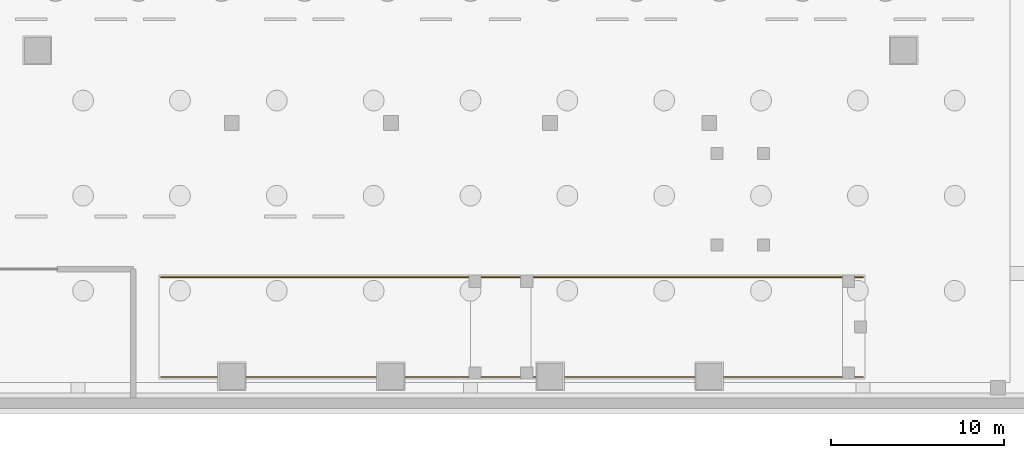
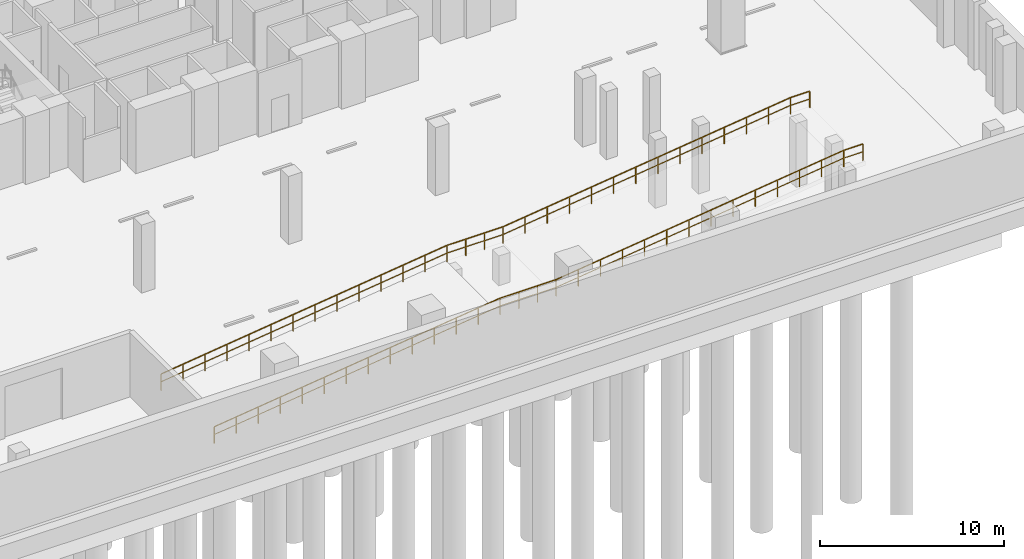
# One storey, part 9 of 13: 2 railings.
"""IFC4 building model written with IfcOpenShell, lengths in metres."""

from ifc_helpers import new_model, si_unit, direction, frame, origin, origin_2d, place, context, subcontext, project, spatial, rectangle, extrude, material, type_object, element, save


model = new_model("IFC4")

# Units and contexts
model_context = context("Model", 3, precision=1e-05, world=origin(), true_north=direction((0.0, 1.0)))
body_context = subcontext(model_context, "Body", "Model", "MODEL_VIEW")
ifc_project = project(units=[si_unit("LENGTHUNIT", "METRE"), si_unit("AREAUNIT", "SQUARE_METRE"), si_unit("VOLUMEUNIT", "CUBIC_METRE"), si_unit("PLANEANGLEUNIT", "RADIAN"), si_unit("MASSUNIT", "GRAM", prefix="KILO")], contexts=[model_context])

# Site, building, storey
site_placement = place(None, origin())
site = spatial("IfcSite", under=ifc_project, at=site_placement, CompositionType="ELEMENT")
building_placement = place(site_placement, origin())
building = spatial("IfcBuilding", under=site, at=building_placement, Name="Zuhayl Quay Hotel", CompositionType="ELEMENT")
storey_placement = place(building_placement, frame((0.0, 0.0, -9.0)))
storey = spatial("IfcBuildingStorey", under=building, at=storey_placement, Name="B2", CompositionType="ELEMENT", Elevation=-9.0)

# Railings
ifc_material = material(Name="Steel ASTM A992 Grade 50", Category="steel")
railing_type = type_object("IfcRailingType", Name="RL_GUARD_1100", PredefinedType="GUARDRAIL", material=ifc_material)
railing_1_placement = place(storey_placement, frame((-17.89990234375, -22.47998046875, 0.0)))
element("IfcRailing", 1, at=railing_1_placement, inside=storey, type_object=railing_type, Name="B2 Vehicle Ramp Opening Safety Guard SG_VR_B2_SOUTH", PredefinedType="GUARDRAIL", context=body_context, shape_type="SweptSolid", body=[
    extrude(rectangle(XDim=0.048095703125, YDim=0.048095703125, at=origin_2d()), frame((0.0, 0.0, 1.09619140625), z_axis=(0.992192281474, 0.0, 0.124717587306), x_axis=(0.0, 1.0, 0.0)), (0.0, 0.0, 1.0), 18.040771484375),
    extrude(rectangle(XDim=0.0361328125, YDim=0.0361328125, at=origin_2d()), frame((0.0, 0.0, 0.58251953125), z_axis=(0.992192281474, 0.0, 0.124717587306), x_axis=(0.0, 1.0, 0.0)), (0.0, 0.0, 1.0), 18.040771484375),
    extrude(rectangle(XDim=0.048095703125, YDim=0.048095703125, at=origin_2d()), frame((17.89990234375, 0.0, 3.34619140625), z_axis=(1.0, 0.0, 0.0), x_axis=(0.0, 1.0, 0.0)), (0.0, 0.0, 1.0), 3.5),
    extrude(rectangle(XDim=0.0361328125, YDim=0.0361328125, at=origin_2d()), frame((17.89990234375, 0.0, 2.83251953125), z_axis=(1.0, 0.0, 0.0), x_axis=(0.0, 1.0, 0.0)), (0.0, 0.0, 1.0), 3.5),
    extrude(rectangle(XDim=0.048095703125, YDim=0.048095703125, at=origin_2d()), frame((21.39990234375, 0.0, 3.34619140625), z_axis=(0.992277876714, 0.0, 0.124034734589), x_axis=(0.0, 1.0, 0.0)), (0.0, 0.0, 1.0), 18.14013671875),
    extrude(rectangle(XDim=0.0361328125, YDim=0.0361328125, at=origin_2d()), frame((21.39990234375, 0.0, 2.83251953125), z_axis=(0.992277876714, 0.0, 0.124034734589), x_axis=(0.0, 1.0, 0.0)), (0.0, 0.0, 1.0), 18.14013671875),
    extrude(rectangle(XDim=0.048095703125, YDim=0.048095703125, at=origin_2d()), frame((39.39990234375, 0.0, 5.59619140625), z_axis=(1.0, 0.0, 0.0), x_axis=(0.0, 1.0, 0.0)), (0.0, 0.0, 1.0), 1.199951171875),
    extrude(rectangle(XDim=0.0361328125, YDim=0.0361328125, at=origin_2d()), frame((39.39990234375, 0.0, 5.08251953125), z_axis=(1.0, 0.0, 0.0), x_axis=(0.0, 1.0, 0.0)), (0.0, 0.0, 1.0), 1.199951171875),
    extrude(rectangle(XDim=0.0419921875, YDim=0.0419921875, at=origin_2d()), origin(), (0.0, 0.0, 1.0), 1.072021484375),
    extrude(rectangle(XDim=0.0419921875, YDim=0.0419921875, at=origin_2d()), frame((1.376953125, 0.0, 0.173095703125)), (0.0, 0.0, 1.0), 1.072021484375),
    extrude(rectangle(XDim=0.0419921875, YDim=0.0419921875, at=origin_2d()), frame((2.75390625, 0.0, 0.34619140625)), (0.0, 0.0, 1.0), 1.072021484375),
    extrude(rectangle(XDim=0.0419921875, YDim=0.0419921875, at=origin_2d()), frame((4.130859375, 0.0, 0.519287109375)), (0.0, 0.0, 1.0), 1.072021484375),
    extrude(rectangle(XDim=0.0419921875, YDim=0.0419921875, at=origin_2d()), frame((5.507568359375, 0.0, 0.6923828125)), (0.0, 0.0, 1.0), 1.072021484375),
    extrude(rectangle(XDim=0.0419921875, YDim=0.0419921875, at=origin_2d()), frame((6.884521484375, 0.0, 0.865478515625)), (0.0, 0.0, 1.0), 1.072021484375),
    extrude(rectangle(XDim=0.0419921875, YDim=0.0419921875, at=origin_2d()), frame((8.261474609375, 0.0, 1.03857421875)), (0.0, 0.0, 1.0), 1.072021484375),
    extrude(rectangle(XDim=0.0419921875, YDim=0.0419921875, at=origin_2d()), frame((9.638427734375, 0.0, 1.21142578125)), (0.0, 0.0, 1.0), 1.072021484375),
    extrude(rectangle(XDim=0.0419921875, YDim=0.0419921875, at=origin_2d()), frame((11.015380859375, 0.0, 1.384521484375)), (0.0, 0.0, 1.0), 1.072021484375),
    extrude(rectangle(XDim=0.0419921875, YDim=0.0419921875, at=origin_2d()), frame((12.392333984375, 0.0, 1.5576171875)), (0.0, 0.0, 1.0), 1.072021484375),
    extrude(rectangle(XDim=0.0419921875, YDim=0.0419921875, at=origin_2d()), frame((13.76904296875, 0.0, 1.730712890625)), (0.0, 0.0, 1.0), 1.072021484375),
    extrude(rectangle(XDim=0.0419921875, YDim=0.0419921875, at=origin_2d()), frame((15.14599609375, 0.0, 1.90380859375)), (0.0, 0.0, 1.0), 1.072021484375),
    extrude(rectangle(XDim=0.0419921875, YDim=0.0419921875, at=origin_2d()), frame((16.52294921875, 0.0, 2.076904296875)), (0.0, 0.0, 1.0), 1.072021484375),
    extrude(rectangle(XDim=0.0419921875, YDim=0.0419921875, at=origin_2d()), frame((17.89990234375, 0.0, 2.25)), (0.0, 0.0, 1.0), 1.072021484375),
    extrude(rectangle(XDim=0.0419921875, YDim=0.0419921875, at=origin_2d()), frame((19.066650390625, 0.0, 2.25)), (0.0, 0.0, 1.0), 1.072021484375),
    extrude(rectangle(XDim=0.0419921875, YDim=0.0419921875, at=origin_2d()), frame((20.233154296875, 0.0, 2.25)), (0.0, 0.0, 1.0), 1.072021484375),
    extrude(rectangle(XDim=0.0419921875, YDim=0.0419921875, at=origin_2d()), frame((21.39990234375, 0.0, 2.25)), (0.0, 0.0, 1.0), 1.072021484375),
    extrude(rectangle(XDim=0.0419921875, YDim=0.0419921875, at=origin_2d()), frame((22.784423828125, 0.0, 2.423095703125)), (0.0, 0.0, 1.0), 1.072021484375),
    extrude(rectangle(XDim=0.0419921875, YDim=0.0419921875, at=origin_2d()), frame((24.169189453125, 0.0, 2.59619140625)), (0.0, 0.0, 1.0), 1.072021484375),
    extrude(rectangle(XDim=0.0419921875, YDim=0.0419921875, at=origin_2d()), frame((25.5537109375, 0.0, 2.769287109375)), (0.0, 0.0, 1.0), 1.072021484375),
    extrude(rectangle(XDim=0.0419921875, YDim=0.0419921875, at=origin_2d()), frame((26.9384765625, 0.0, 2.9423828125)), (0.0, 0.0, 1.0), 1.072021484375),
    extrude(rectangle(XDim=0.0419921875, YDim=0.0419921875, at=origin_2d()), frame((28.322998046875, 0.0, 3.115478515625)), (0.0, 0.0, 1.0), 1.072021484375),
    extrude(rectangle(XDim=0.0419921875, YDim=0.0419921875, at=origin_2d()), frame((29.70751953125, 0.0, 3.28857421875)), (0.0, 0.0, 1.0), 1.072021484375),
    extrude(rectangle(XDim=0.0419921875, YDim=0.0419921875, at=origin_2d()), frame((31.09228515625, 0.0, 3.46142578125)), (0.0, 0.0, 1.0), 1.072021484375),
    extrude(rectangle(XDim=0.0419921875, YDim=0.0419921875, at=origin_2d()), frame((32.476806640625, 0.0, 3.634521484375)), (0.0, 0.0, 1.0), 1.072021484375),
    extrude(rectangle(XDim=0.0419921875, YDim=0.0419921875, at=origin_2d()), frame((33.861328125, 0.0, 3.8076171875)), (0.0, 0.0, 1.0), 1.072021484375),
    extrude(rectangle(XDim=0.0419921875, YDim=0.0419921875, at=origin_2d()), frame((35.24609375, 0.0, 3.980712890625)), (0.0, 0.0, 1.0), 1.072021484375),
    extrude(rectangle(XDim=0.0419921875, YDim=0.0419921875, at=origin_2d()), frame((36.630615234375, 0.0, 4.15380859375)), (0.0, 0.0, 1.0), 1.072021484375),
    extrude(rectangle(XDim=0.0419921875, YDim=0.0419921875, at=origin_2d()), frame((38.015380859375, 0.0, 4.326904296875)), (0.0, 0.0, 1.0), 1.072021484375),
    extrude(rectangle(XDim=0.0419921875, YDim=0.0419921875, at=origin_2d()), frame((39.39990234375, 0.0, 4.5)), (0.0, 0.0, 1.0), 1.072021484375),
    extrude(rectangle(XDim=0.0419921875, YDim=0.0419921875, at=origin_2d()), frame((40.599853515625, 0.0, 4.5)), (0.0, 0.0, 1.0), 1.072021484375),
])
railing_2_placement = place(storey_placement, frame((-17.89990234375, -16.719970703125, 0.0)))
element("IfcRailing", 2, at=railing_2_placement, inside=storey, type_object=railing_type, Name="B2 Vehicle Ramp Opening Safety Guard SG_VR_B2_NORTH", PredefinedType="GUARDRAIL", context=body_context, shape_type="SweptSolid", body=[
    extrude(rectangle(XDim=0.048095703125, YDim=0.048095703125, at=origin_2d()), frame((0.0, 0.0, 1.09619140625), z_axis=(0.992192281474, 0.0, 0.124717587306), x_axis=(0.0, 1.0, 0.0)), (0.0, 0.0, 1.0), 18.040771484375),
    extrude(rectangle(XDim=0.0361328125, YDim=0.0361328125, at=origin_2d()), frame((0.0, 0.0, 0.58251953125), z_axis=(0.992192281474, 0.0, 0.124717587306), x_axis=(0.0, 1.0, 0.0)), (0.0, 0.0, 1.0), 18.040771484375),
    extrude(rectangle(XDim=0.048095703125, YDim=0.048095703125, at=origin_2d()), frame((17.89990234375, 0.0, 3.34619140625), z_axis=(1.0, 0.0, 0.0), x_axis=(0.0, 1.0, 0.0)), (0.0, 0.0, 1.0), 3.5),
    extrude(rectangle(XDim=0.0361328125, YDim=0.0361328125, at=origin_2d()), frame((17.89990234375, 0.0, 2.83251953125), z_axis=(1.0, 0.0, 0.0), x_axis=(0.0, 1.0, 0.0)), (0.0, 0.0, 1.0), 3.5),
    extrude(rectangle(XDim=0.048095703125, YDim=0.048095703125, at=origin_2d()), frame((21.39990234375, 0.0, 3.34619140625), z_axis=(0.992277876714, 0.0, 0.124034734589), x_axis=(0.0, 1.0, 0.0)), (0.0, 0.0, 1.0), 18.14013671875),
    extrude(rectangle(XDim=0.0361328125, YDim=0.0361328125, at=origin_2d()), frame((21.39990234375, 0.0, 2.83251953125), z_axis=(0.992277876714, 0.0, 0.124034734589), x_axis=(0.0, 1.0, 0.0)), (0.0, 0.0, 1.0), 18.14013671875),
    extrude(rectangle(XDim=0.048095703125, YDim=0.048095703125, at=origin_2d()), frame((39.39990234375, 0.0, 5.59619140625), z_axis=(1.0, 0.0, 0.0), x_axis=(0.0, 1.0, 0.0)), (0.0, 0.0, 1.0), 1.199951171875),
    extrude(rectangle(XDim=0.0361328125, YDim=0.0361328125, at=origin_2d()), frame((39.39990234375, 0.0, 5.08251953125), z_axis=(1.0, 0.0, 0.0), x_axis=(0.0, 1.0, 0.0)), (0.0, 0.0, 1.0), 1.199951171875),
    extrude(rectangle(XDim=0.0419921875, YDim=0.0419921875, at=origin_2d()), origin(), (0.0, 0.0, 1.0), 1.072021484375),
    extrude(rectangle(XDim=0.0419921875, YDim=0.0419921875, at=origin_2d()), frame((1.376953125, 0.0, 0.173095703125)), (0.0, 0.0, 1.0), 1.072021484375),
    extrude(rectangle(XDim=0.0419921875, YDim=0.0419921875, at=origin_2d()), frame((2.75390625, 0.0, 0.34619140625)), (0.0, 0.0, 1.0), 1.072021484375),
    extrude(rectangle(XDim=0.0419921875, YDim=0.0419921875, at=origin_2d()), frame((4.130859375, 0.0, 0.519287109375)), (0.0, 0.0, 1.0), 1.072021484375),
    extrude(rectangle(XDim=0.0419921875, YDim=0.0419921875, at=origin_2d()), frame((5.507568359375, 0.0, 0.6923828125)), (0.0, 0.0, 1.0), 1.072021484375),
    extrude(rectangle(XDim=0.0419921875, YDim=0.0419921875, at=origin_2d()), frame((6.884521484375, 0.0, 0.865478515625)), (0.0, 0.0, 1.0), 1.072021484375),
    extrude(rectangle(XDim=0.0419921875, YDim=0.0419921875, at=origin_2d()), frame((8.261474609375, 0.0, 1.03857421875)), (0.0, 0.0, 1.0), 1.072021484375),
    extrude(rectangle(XDim=0.0419921875, YDim=0.0419921875, at=origin_2d()), frame((9.638427734375, 0.0, 1.21142578125)), (0.0, 0.0, 1.0), 1.072021484375),
    extrude(rectangle(XDim=0.0419921875, YDim=0.0419921875, at=origin_2d()), frame((11.015380859375, 0.0, 1.384521484375)), (0.0, 0.0, 1.0), 1.072021484375),
    extrude(rectangle(XDim=0.0419921875, YDim=0.0419921875, at=origin_2d()), frame((12.392333984375, 0.0, 1.5576171875)), (0.0, 0.0, 1.0), 1.072021484375),
    extrude(rectangle(XDim=0.0419921875, YDim=0.0419921875, at=origin_2d()), frame((13.76904296875, 0.0, 1.730712890625)), (0.0, 0.0, 1.0), 1.072021484375),
    extrude(rectangle(XDim=0.0419921875, YDim=0.0419921875, at=origin_2d()), frame((15.14599609375, 0.0, 1.90380859375)), (0.0, 0.0, 1.0), 1.072021484375),
    extrude(rectangle(XDim=0.0419921875, YDim=0.0419921875, at=origin_2d()), frame((16.52294921875, 0.0, 2.076904296875)), (0.0, 0.0, 1.0), 1.072021484375),
    extrude(rectangle(XDim=0.0419921875, YDim=0.0419921875, at=origin_2d()), frame((17.89990234375, 0.0, 2.25)), (0.0, 0.0, 1.0), 1.072021484375),
    extrude(rectangle(XDim=0.0419921875, YDim=0.0419921875, at=origin_2d()), frame((19.066650390625, 0.0, 2.25)), (0.0, 0.0, 1.0), 1.072021484375),
    extrude(rectangle(XDim=0.0419921875, YDim=0.0419921875, at=origin_2d()), frame((20.233154296875, 0.0, 2.25)), (0.0, 0.0, 1.0), 1.072021484375),
    extrude(rectangle(XDim=0.0419921875, YDim=0.0419921875, at=origin_2d()), frame((21.39990234375, 0.0, 2.25)), (0.0, 0.0, 1.0), 1.072021484375),
    extrude(rectangle(XDim=0.0419921875, YDim=0.0419921875, at=origin_2d()), frame((22.784423828125, 0.0, 2.423095703125)), (0.0, 0.0, 1.0), 1.072021484375),
    extrude(rectangle(XDim=0.0419921875, YDim=0.0419921875, at=origin_2d()), frame((24.169189453125, 0.0, 2.59619140625)), (0.0, 0.0, 1.0), 1.072021484375),
    extrude(rectangle(XDim=0.0419921875, YDim=0.0419921875, at=origin_2d()), frame((25.5537109375, 0.0, 2.769287109375)), (0.0, 0.0, 1.0), 1.072021484375),
    extrude(rectangle(XDim=0.0419921875, YDim=0.0419921875, at=origin_2d()), frame((26.9384765625, 0.0, 2.9423828125)), (0.0, 0.0, 1.0), 1.072021484375),
    extrude(rectangle(XDim=0.0419921875, YDim=0.0419921875, at=origin_2d()), frame((28.322998046875, 0.0, 3.115478515625)), (0.0, 0.0, 1.0), 1.072021484375),
    extrude(rectangle(XDim=0.0419921875, YDim=0.0419921875, at=origin_2d()), frame((29.70751953125, 0.0, 3.28857421875)), (0.0, 0.0, 1.0), 1.072021484375),
    extrude(rectangle(XDim=0.0419921875, YDim=0.0419921875, at=origin_2d()), frame((31.09228515625, 0.0, 3.46142578125)), (0.0, 0.0, 1.0), 1.072021484375),
    extrude(rectangle(XDim=0.0419921875, YDim=0.0419921875, at=origin_2d()), frame((32.476806640625, 0.0, 3.634521484375)), (0.0, 0.0, 1.0), 1.072021484375),
    extrude(rectangle(XDim=0.0419921875, YDim=0.0419921875, at=origin_2d()), frame((33.861328125, 0.0, 3.8076171875)), (0.0, 0.0, 1.0), 1.072021484375),
    extrude(rectangle(XDim=0.0419921875, YDim=0.0419921875, at=origin_2d()), frame((35.24609375, 0.0, 3.980712890625)), (0.0, 0.0, 1.0), 1.072021484375),
    extrude(rectangle(XDim=0.0419921875, YDim=0.0419921875, at=origin_2d()), frame((36.630615234375, 0.0, 4.15380859375)), (0.0, 0.0, 1.0), 1.072021484375),
    extrude(rectangle(XDim=0.0419921875, YDim=0.0419921875, at=origin_2d()), frame((38.015380859375, 0.0, 4.326904296875)), (0.0, 0.0, 1.0), 1.072021484375),
    extrude(rectangle(XDim=0.0419921875, YDim=0.0419921875, at=origin_2d()), frame((39.39990234375, 0.0, 4.5)), (0.0, 0.0, 1.0), 1.072021484375),
    extrude(rectangle(XDim=0.0419921875, YDim=0.0419921875, at=origin_2d()), frame((40.599853515625, 0.0, 4.5)), (0.0, 0.0, 1.0), 1.072021484375),
])

save(model, "model.ifc")
